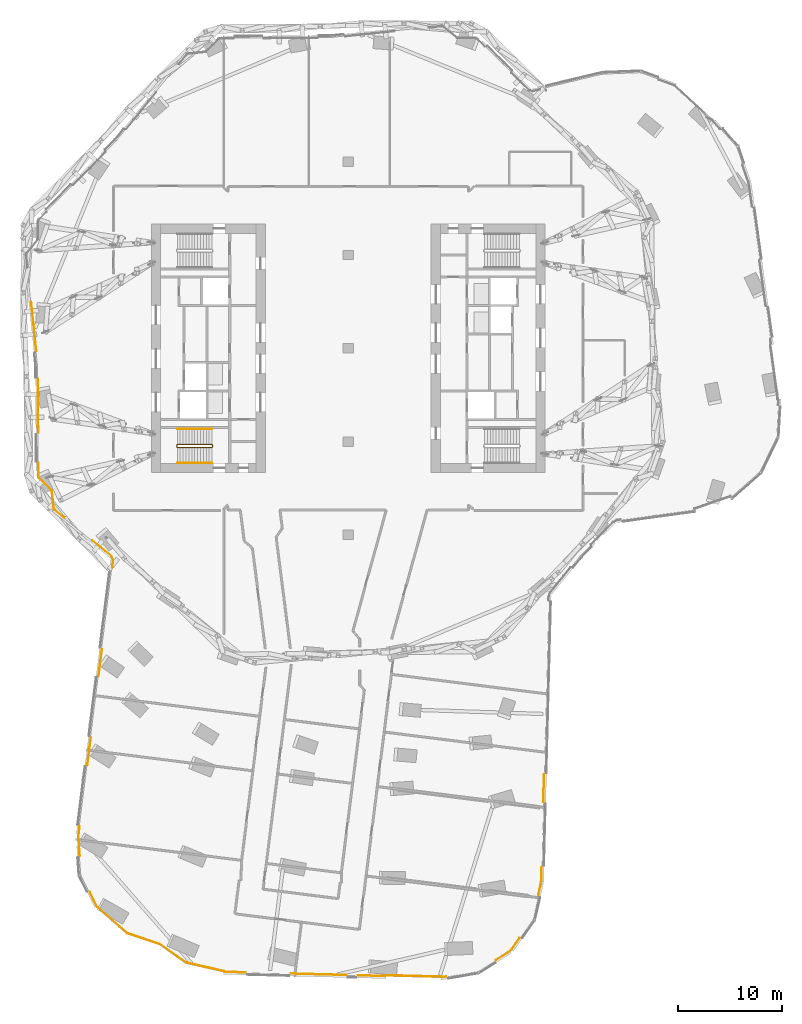
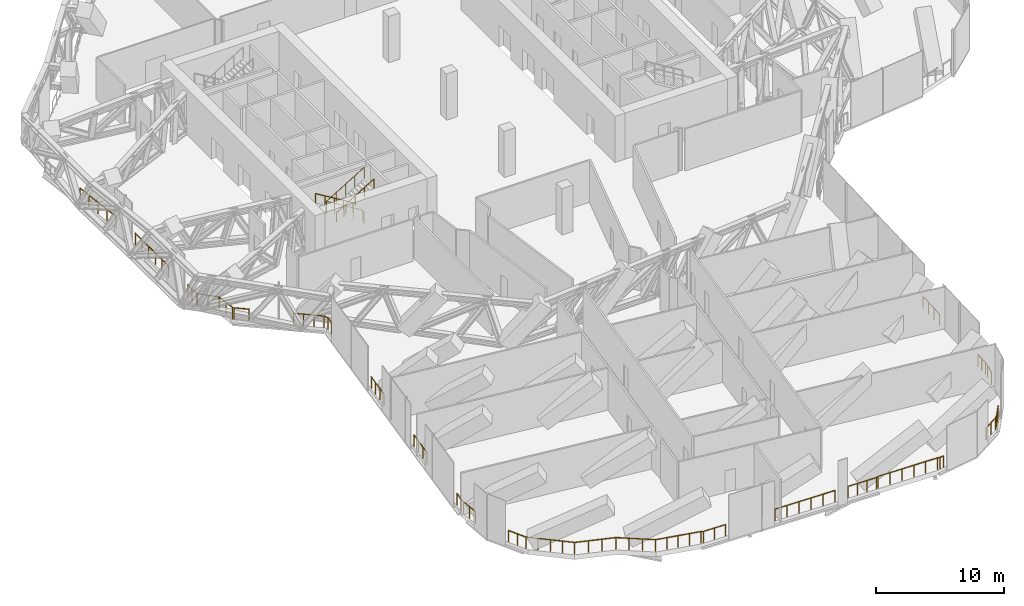
# One storey, part 24 of 27: 18 railings.
"""IFC4 building model written with IfcOpenShell, lengths in metres."""

from ifc_helpers import new_model, si_unit, direction, frame, origin, origin_2d, place, context, subcontext, project, spatial, circle, extrude, material, type_object, element, save


model = new_model("IFC4")

# Units and contexts
model_context = context("Model", 3, precision=1e-05, world=origin(), true_north=direction((0.0, 1.0)))
body_context = subcontext(model_context, "Body", "Model", "MODEL_VIEW")
ifc_project = project(units=[si_unit("LENGTHUNIT", "METRE"), si_unit("AREAUNIT", "SQUARE_METRE"), si_unit("VOLUMEUNIT", "CUBIC_METRE"), si_unit("PLANEANGLEUNIT", "RADIAN"), si_unit("MASSUNIT", "GRAM", prefix="KILO")], contexts=[model_context])

# Site, building, storey
site_placement = place(None, origin())
site = spatial("IfcSite", under=ifc_project, at=site_placement, CompositionType="ELEMENT")
building_placement = place(site_placement, origin())
building = spatial("IfcBuilding", under=site, at=building_placement, Name="Orlundy Tower", CompositionType="ELEMENT")
storey_placement = place(building_placement, frame((0.0, 0.0, 206.10009765625)))
storey = spatial("IfcBuildingStorey", under=building, at=storey_placement, Name="L54", CompositionType="ELEMENT", Elevation=206.10009765625)

# Railings
ifc_material_1 = material(Name="Steel balustrade", Category="steel")
railing_type_1 = type_object("IfcRailingType", Name="Stair Guard 1100", PredefinedType="GUARDRAIL", material=ifc_material_1)
railing_1_placement = place(storey_placement, frame((-13.090087890625, -9.35009765625, 0.0)))
element("IfcRailing", 1, at=railing_1_placement, inside=storey, type_object=railing_type_1, Name="L54 ST-W2 stair guard 1", PredefinedType="GUARDRAIL", context=body_context, shape_type="SweptSolid", body=[
    extrude(circle(Radius=0.02392578125, at=origin_2d()), frame((0.0, 0.0, 1.076171875), z_axis=(0.0, -1.0, 0.0), x_axis=(1.0, 0.0, 0.0)), (0.0, 0.0, 1.0), 0.14990234375),
    extrude(circle(Radius=0.02392578125, at=origin_2d()), frame((0.0, -0.14990234375, 1.076171875), z_axis=(-0.186800498525, 0.749949060256, 0.634572281755), x_axis=(-0.970351222016, -0.241699205484, 0.0)), (0.0, 0.0, 1.0), 0.2666015625),
    extrude(circle(Radius=0.02392578125, at=origin_2d()), frame((-0.0498046875, 0.050048828125, 1.2451171875), z_axis=(-0.855836976705, 0.0, 0.517245656632), x_axis=(0.0, -1.0, 0.0)), (0.0, 0.0, 1.0), 3.926025390625),
    extrude(circle(Radius=0.02392578125, at=origin_2d()), frame((-3.409912109375, 0.050048828125, 3.27587890625), z_axis=(-0.707106781187, -0.707106781187, 0.0), x_axis=(0.707106781187, -0.707106781187, 0.0)), (0.0, 0.0, 1.0), 0.07080078125),
    extrude(circle(Radius=0.02392578125, at=origin_2d()), frame((-3.4599609375, 0.0, 3.27587890625), z_axis=(0.0, -1.0, 0.0), x_axis=(1.0, 0.0, 0.0)), (0.0, 0.0, 1.0), 0.14990234375),
    extrude(circle(Radius=0.02392578125, at=origin_2d()), frame((-3.4599609375, -0.14990234375, 3.27587890625), z_axis=(0.272897288611, -0.272897288611, 0.922525956132), x_axis=(0.707106781187, 0.707106781187, 0.0)), (0.0, 0.0, 1.0), 0.183349609375),
    extrude(circle(Radius=0.02392578125, at=origin_2d()), frame((-3.409912109375, -0.199951171875, 3.4453125), z_axis=(0.855836976705, 0.0, 0.517245656632), x_axis=(0.0, 1.0, 0.0)), (0.0, 0.0, 1.0), 3.926025390625),
    extrude(circle(Radius=0.02099609375, at=origin_2d()), origin(), (0.0, 0.0, 1.0), 1.052001953125),
    extrude(circle(Radius=0.02099609375, at=origin_2d()), frame((0.0, -0.14990234375, 0.0)), (0.0, 0.0, 1.0), 1.052001953125),
    extrude(circle(Radius=0.02099609375, at=origin_2d()), frame((-0.0498046875, 0.050048828125, 0.169189453125)), (0.0, 0.0, 1.0), 1.052001953125),
    extrude(circle(Radius=0.02099609375, at=origin_2d()), frame((-0.889892578125, 0.050048828125, 0.6767578125)), (0.0, 0.0, 1.0), 1.052001953125),
    extrude(circle(Radius=0.02099609375, at=origin_2d()), frame((-1.72998046875, 0.050048828125, 1.1845703125)), (0.0, 0.0, 1.0), 1.052001953125),
    extrude(circle(Radius=0.02099609375, at=origin_2d()), frame((-2.56982421875, 0.050048828125, 1.6923828125)), (0.0, 0.0, 1.0), 1.052001953125),
    extrude(circle(Radius=0.02099609375, at=origin_2d()), frame((-3.409912109375, 0.050048828125, 2.199951171875)), (0.0, 0.0, 1.0), 1.052001953125),
    extrude(circle(Radius=0.02099609375, at=origin_2d()), frame((-3.4599609375, 0.0, 2.199951171875)), (0.0, 0.0, 1.0), 1.052001953125),
    extrude(circle(Radius=0.02099609375, at=origin_2d()), frame((-3.4599609375, -0.14990234375, 2.199951171875)), (0.0, 0.0, 1.0), 1.052001953125),
    extrude(circle(Radius=0.02099609375, at=origin_2d()), frame((-3.409912109375, -0.199951171875, 2.369140625)), (0.0, 0.0, 1.0), 1.052001953125),
    extrude(circle(Radius=0.02099609375, at=origin_2d()), frame((-2.56982421875, -0.199951171875, 2.876953125)), (0.0, 0.0, 1.0), 1.052001953125),
    extrude(circle(Radius=0.02099609375, at=origin_2d()), frame((-1.72998046875, -0.199951171875, 3.384521484375)), (0.0, 0.0, 1.0), 1.052001953125),
    extrude(circle(Radius=0.02099609375, at=origin_2d()), frame((-0.889892578125, -0.199951171875, 3.89208984375)), (0.0, 0.0, 1.0), 1.052001953125),
    extrude(circle(Radius=0.02099609375, at=origin_2d()), frame((-0.0498046875, -0.199951171875, 4.39990234375)), (0.0, 0.0, 1.0), 1.052001953125),
])
ifc_material_2 = material(Name="Steel handrail", Category="steel")
railing_type_2 = type_object("IfcRailingType", Name="Stair Handrail 900", PredefinedType="HANDRAIL", material=ifc_material_2)
railing_2_placement = place(storey_placement, frame((-13.139892578125, -7.800048828125, 0.169189453125)))
element("IfcRailing", 2, at=railing_2_placement, inside=storey, type_object=railing_type_2, Name="L54 ST-W2 stair handrail 1", PredefinedType="HANDRAIL", context=body_context, shape_type="SweptSolid", body=[
    extrude(circle(Radius=0.02392578125, at=origin_2d()), frame((0.0, 0.0, 0.8759765625), z_axis=(-0.855836976705, 0.0, 0.517245656632), x_axis=(0.0, -1.0, 0.0)), (0.0, 0.0, 1.0), 3.926025390625),
    extrude(circle(Radius=0.02099609375, at=origin_2d()), origin(), (0.0, 0.0, 1.0), 0.851806640625),
    extrude(circle(Radius=0.02099609375, at=origin_2d()), frame((-0.840087890625, 0.0, 0.5078125)), (0.0, 0.0, 1.0), 0.851806640625),
    extrude(circle(Radius=0.02099609375, at=origin_2d()), frame((-1.68017578125, 0.0, 1.015380859375)), (0.0, 0.0, 1.0), 0.851806640625),
    extrude(circle(Radius=0.02099609375, at=origin_2d()), frame((-2.52001953125, 0.0, 1.52294921875)), (0.0, 0.0, 1.0), 0.851806640625),
    extrude(circle(Radius=0.02099609375, at=origin_2d()), frame((-3.360107421875, 0.0, 2.03076171875)), (0.0, 0.0, 1.0), 0.851806640625),
])
railing_3_placement = place(storey_placement, frame((-16.5, -11.050048828125, 2.369140625)))
element("IfcRailing", 3, at=railing_3_placement, inside=storey, type_object=railing_type_2, Name="L54 ST-W2 stair handrail 2", PredefinedType="HANDRAIL", context=body_context, shape_type="SweptSolid", body=[
    extrude(circle(Radius=0.02392578125, at=origin_2d()), frame((0.0, 0.0, 0.8759765625), z_axis=(0.855836976705, 0.0, 0.517245656632), x_axis=(0.0, 1.0, 0.0)), (0.0, 0.0, 1.0), 3.926025390625),
    extrude(circle(Radius=0.02099609375, at=origin_2d()), origin(), (0.0, 0.0, 1.0), 0.851806640625),
    extrude(circle(Radius=0.02099609375, at=origin_2d()), frame((0.840087890625, 0.0, 0.5078125)), (0.0, 0.0, 1.0), 0.851806640625),
    extrude(circle(Radius=0.02099609375, at=origin_2d()), frame((1.68017578125, 0.0, 1.015380859375)), (0.0, 0.0, 1.0), 0.851806640625),
    extrude(circle(Radius=0.02099609375, at=origin_2d()), frame((2.52001953125, 0.0, 1.52294921875)), (0.0, 0.0, 1.0), 0.851806640625),
    extrude(circle(Radius=0.02099609375, at=origin_2d()), frame((3.360107421875, 0.0, 2.03076171875)), (0.0, 0.0, 1.0), 0.851806640625),
])
ifc_material_3 = material(Name="Stainless steel bronze finish", Category="steel")
railing_type_3 = type_object("IfcRailingType", Name="TG1 terrace guard", PredefinedType="GUARDRAIL", material=ifc_material_3)
railing_4_placement = place(storey_placement, frame((9.45166015625, -60.620849609375, 0.0)))
element("IfcRailing", 4, at=railing_4_placement, inside=storey, type_object=railing_type_3, Name="Guard TG-L54-E00", PredefinedType="GUARDRAIL", context=body_context, shape_type="SweptSolid", body=[
    extrude(circle(Radius=0.02490234375, at=origin_2d()), frame((0.0, 0.0, 1.09521484375), z_axis=(-0.985579501738, -0.169213018869, 0.0), x_axis=(0.169213018869, -0.985579501738, 0.0)), (0.0, 0.0, 1.0), 0.353515625),
    extrude(circle(Radius=0.02490234375, at=origin_2d()), frame((-0.348388671875, -0.059814453125, 1.09521484375), z_axis=(-0.970365349793, 0.241642479544, 0.0), x_axis=(-0.241642479544, -0.970365349793, 0.0)), (0.0, 0.0, 1.0), 0.19287109375),
    extrude(circle(Radius=0.02490234375, at=origin_2d()), frame((-0.53564453125, -0.01318359375, 1.09521484375), z_axis=(-0.999657194229, 0.026181940843, 0.0), x_axis=(-0.026181940843, -0.999657194229, 0.0)), (0.0, 0.0, 1.0), 5.249755859375),
    extrude(circle(Radius=0.02490234375, at=origin_2d()), frame((-5.78369140625, 0.124267578125, 1.09521484375), z_axis=(-0.937994498829, -0.346650140872, 0.0), x_axis=(0.346650140872, -0.937994498829, 0.0)), (0.0, 0.0, 1.0), 0.215576171875),
    extrude(circle(Radius=0.02490234375, at=origin_2d()), frame((-5.98583984375, 0.049560546875, 1.09521484375), z_axis=(-0.999656043483, 0.026225840849, 0.0), x_axis=(-0.026225840849, -0.999656043483, 0.0)), (0.0, 0.0, 1.0), 2.54150390625),
    extrude(circle(Radius=0.02001953125, at=origin_2d()), origin(), (0.0, 0.0, 1.0), 1.070068359375),
    extrude(circle(Radius=0.02001953125, at=origin_2d()), frame((-0.348388671875, -0.059814453125, 0.0)), (0.0, 0.0, 1.0), 1.070068359375),
    extrude(circle(Radius=0.02001953125, at=origin_2d()), frame((-0.53564453125, -0.01318359375, 0.0)), (0.0, 0.0, 1.0), 1.070068359375),
    extrude(circle(Radius=0.02001953125, at=origin_2d()), frame((-1.585205078125, 0.014404296875, 0.0)), (0.0, 0.0, 1.0), 1.070068359375),
    extrude(circle(Radius=0.02001953125, at=origin_2d()), frame((-2.634765625, 0.041748046875, 0.0)), (0.0, 0.0, 1.0), 1.070068359375),
    extrude(circle(Radius=0.02001953125, at=origin_2d()), frame((-3.6845703125, 0.0693359375, 0.0)), (0.0, 0.0, 1.0), 1.070068359375),
    extrude(circle(Radius=0.02001953125, at=origin_2d()), frame((-4.734130859375, 0.0966796875, 0.0)), (0.0, 0.0, 1.0), 1.070068359375),
    extrude(circle(Radius=0.02001953125, at=origin_2d()), frame((-5.78369140625, 0.124267578125, 0.0)), (0.0, 0.0, 1.0), 1.070068359375),
    extrude(circle(Radius=0.02001953125, at=origin_2d()), frame((-5.98583984375, 0.049560546875, 0.0)), (0.0, 0.0, 1.0), 1.070068359375),
    extrude(circle(Radius=0.02001953125, at=origin_2d()), frame((-6.832763671875, 0.07177734375, 0.0)), (0.0, 0.0, 1.0), 1.070068359375),
    extrude(circle(Radius=0.02001953125, at=origin_2d()), frame((-7.679443359375, 0.093994140625, 0.0)), (0.0, 0.0, 1.0), 1.070068359375),
    extrude(circle(Radius=0.02001953125, at=origin_2d()), frame((-8.5263671875, 0.1162109375, 0.0)), (0.0, 0.0, 1.0), 1.070068359375),
])
railing_5_placement = place(storey_placement, frame((-15.645263671875, -59.274169921875, 0.0)))
element("IfcRailing", 5, at=railing_5_placement, inside=storey, type_object=railing_type_3, Name="Guard TG-L54-E02", PredefinedType="GUARDRAIL", context=body_context, shape_type="SweptSolid", body=[
    extrude(circle(Radius=0.02490234375, at=origin_2d()), frame((0.0, 0.0, 1.09521484375), z_axis=(-0.817636842774, 0.575734307939, 0.0), x_axis=(-0.575734307939, -0.817636842774, 0.0)), (0.0, 0.0, 1.0), 3.112548828125),
    extrude(circle(Radius=0.02490234375, at=origin_2d()), frame((-2.544921875, 1.7919921875, 1.09521484375), z_axis=(-0.948802511148, 0.315869901763, 0.0), x_axis=(-0.315869901763, -0.948802511148, 0.0)), (0.0, 0.0, 1.0), 3.27490234375),
    extrude(circle(Radius=0.02001953125, at=origin_2d()), origin(), (0.0, 0.0, 1.0), 1.070068359375),
    extrude(circle(Radius=0.02001953125, at=origin_2d()), frame((-0.848388671875, 0.597412109375, 0.0)), (0.0, 0.0, 1.0), 1.070068359375),
    extrude(circle(Radius=0.02001953125, at=origin_2d()), frame((-1.696533203125, 1.194580078125, 0.0)), (0.0, 0.0, 1.0), 1.070068359375),
    extrude(circle(Radius=0.02001953125, at=origin_2d()), frame((-2.544921875, 1.7919921875, 0.0)), (0.0, 0.0, 1.0), 1.070068359375),
    extrude(circle(Radius=0.02001953125, at=origin_2d()), frame((-3.58056640625, 2.13671875, 0.0)), (0.0, 0.0, 1.0), 1.070068359375),
    extrude(circle(Radius=0.02001953125, at=origin_2d()), frame((-4.616455078125, 2.481689453125, 0.0)), (0.0, 0.0, 1.0), 1.070068359375),
    extrude(circle(Radius=0.02001953125, at=origin_2d()), frame((-5.652099609375, 2.826416015625, 0.0)), (0.0, 0.0, 1.0), 1.070068359375),
])
railing_6_placement = place(storey_placement, frame((-27.427978515625, -16.34033203125, 0.0)))
element("IfcRailing", 6, at=railing_6_placement, inside=storey, type_object=railing_type_3, Name="Guard TG-L54-E03", PredefinedType="GUARDRAIL", context=body_context, shape_type="SweptSolid", body=[
    extrude(circle(Radius=0.02490234375, at=origin_2d()), frame((0.0, 0.0, 1.09521484375), z_axis=(-0.777306744843, 0.629121788227, 0.0), x_axis=(-0.629121788227, -0.777306744843, 0.0)), (0.0, 0.0, 1.0), 1.194580078125),
    extrude(circle(Radius=0.02490234375, at=origin_2d()), frame((-0.928466796875, 0.75146484375, 1.09521484375), z_axis=(-0.495501015879, 0.868607358513, 0.0), x_axis=(-0.868607358513, -0.495501015879, 0.0)), (0.0, 0.0, 1.0), 0.123779296875),
    extrude(circle(Radius=0.02490234375, at=origin_2d()), frame((-0.98974609375, 0.85888671875, 1.09521484375), z_axis=(-0.104438683057, 0.994531327551, 0.0), x_axis=(-0.994531327551, -0.104438683057, 0.0)), (0.0, 0.0, 1.0), 1.7041015625),
    extrude(circle(Radius=0.02490234375, at=origin_2d()), frame((-1.167724609375, 2.5537109375, 1.09521484375), z_axis=(-0.431455497304, 0.902134221636, 0.0), x_axis=(-0.902134221636, -0.431455497304, 0.0)), (0.0, 0.0, 1.0), 0.080810546875),
    extrude(circle(Radius=0.02490234375, at=origin_2d()), frame((-1.20263671875, 2.626708984375, 1.09521484375), z_axis=(-0.711178105956, 0.703011878712, 0.0), x_axis=(-0.703011878712, -0.711178105956, 0.0)), (0.0, 0.0, 1.0), 1.7041015625),
    extrude(circle(Radius=0.02490234375, at=origin_2d()), frame((-2.41455078125, 3.82470703125, 1.09521484375), z_axis=(-0.369685801214, 0.92915682658, 0.0), x_axis=(-0.92915682658, -0.369685801214, 0.0)), (0.0, 0.0, 1.0), 0.12353515625),
    extrude(circle(Radius=0.02490234375, at=origin_2d()), frame((-2.460205078125, 3.939453125, 1.09521484375), z_axis=(-0.005931313644, 0.999982409605, 0.0), x_axis=(-0.999982409605, -0.005931313644, 0.0)), (0.0, 0.0, 1.0), 1.317138671875),
    extrude(circle(Radius=0.02001953125, at=origin_2d()), origin(), (0.0, 0.0, 1.0), 1.070068359375),
    extrude(circle(Radius=0.02001953125, at=origin_2d()), frame((-0.928466796875, 0.75146484375, 0.0)), (0.0, 0.0, 1.0), 1.070068359375),
    extrude(circle(Radius=0.02001953125, at=origin_2d()), frame((-0.98974609375, 0.85888671875, 0.0)), (0.0, 0.0, 1.0), 1.070068359375),
    extrude(circle(Radius=0.02001953125, at=origin_2d()), frame((-1.07861328125, 1.706298828125, 0.0)), (0.0, 0.0, 1.0), 1.070068359375),
    extrude(circle(Radius=0.02001953125, at=origin_2d()), frame((-1.167724609375, 2.5537109375, 0.0)), (0.0, 0.0, 1.0), 1.070068359375),
    extrude(circle(Radius=0.02001953125, at=origin_2d()), frame((-1.20263671875, 2.626708984375, 0.0)), (0.0, 0.0, 1.0), 1.070068359375),
    extrude(circle(Radius=0.02001953125, at=origin_2d()), frame((-1.80859375, 3.2255859375, 0.0)), (0.0, 0.0, 1.0), 1.070068359375),
    extrude(circle(Radius=0.02001953125, at=origin_2d()), frame((-2.41455078125, 3.82470703125, 0.0)), (0.0, 0.0, 1.0), 1.070068359375),
    extrude(circle(Radius=0.02001953125, at=origin_2d()), frame((-2.460205078125, 3.939453125, 0.0)), (0.0, 0.0, 1.0), 1.070068359375),
    extrude(circle(Radius=0.02001953125, at=origin_2d()), frame((-2.464111328125, 4.59814453125, 0.0)), (0.0, 0.0, 1.0), 1.070068359375),
    extrude(circle(Radius=0.02001953125, at=origin_2d()), frame((-2.468017578125, 5.256591796875, 0.0)), (0.0, 0.0, 1.0), 1.070068359375),
])
railing_7_placement = place(storey_placement, frame((-9.898193359375, -60.22119140625, 0.0)))
element("IfcRailing", 7, at=railing_7_placement, inside=storey, type_object=railing_type_3, Name="Guard TG-L54-E07", PredefinedType="GUARDRAIL", context=body_context, shape_type="SweptSolid", body=[
    extrude(circle(Radius=0.02490234375, at=origin_2d()), frame((0.0, 0.0, 1.09521484375), z_axis=(-0.999655537605, 0.026245116419, 0.0), x_axis=(-0.026245116419, -0.999655537605, 0.0)), (0.0, 0.0, 1.0), 1.9814453125),
    extrude(circle(Radius=0.02490234375, at=origin_2d()), frame((-1.980712890625, 0.052001953125, 1.09521484375), z_axis=(-0.904560494663, 0.426345296086, 0.0), x_axis=(-0.426345296086, -0.904560494663, 0.0)), (0.0, 0.0, 1.0), 0.19287109375),
    extrude(circle(Radius=0.02490234375, at=origin_2d()), frame((-2.1552734375, 0.13427734375, 1.09521484375), z_axis=(-0.975342116827, 0.220698335163, 0.0), x_axis=(-0.220698335163, -0.975342116827, 0.0)), (0.0, 0.0, 1.0), 3.6826171875),
    extrude(circle(Radius=0.02001953125, at=origin_2d()), origin(), (0.0, 0.0, 1.0), 1.070068359375),
    extrude(circle(Radius=0.02001953125, at=origin_2d()), frame((-0.990234375, 0.02587890625, 0.0)), (0.0, 0.0, 1.0), 1.070068359375),
    extrude(circle(Radius=0.02001953125, at=origin_2d()), frame((-1.980712890625, 0.052001953125, 0.0)), (0.0, 0.0, 1.0), 1.070068359375),
    extrude(circle(Radius=0.02001953125, at=origin_2d()), frame((-2.1552734375, 0.13427734375, 0.0)), (0.0, 0.0, 1.0), 1.070068359375),
    extrude(circle(Radius=0.02001953125, at=origin_2d()), frame((-3.05322265625, 0.33740234375, 0.0)), (0.0, 0.0, 1.0), 1.070068359375),
    extrude(circle(Radius=0.02001953125, at=origin_2d()), frame((-3.951171875, 0.54052734375, 0.0)), (0.0, 0.0, 1.0), 1.070068359375),
    extrude(circle(Radius=0.02001953125, at=origin_2d()), frame((-4.84912109375, 0.743896484375, 0.0)), (0.0, 0.0, 1.0), 1.070068359375),
    extrude(circle(Radius=0.02001953125, at=origin_2d()), frame((-5.7470703125, 0.947021484375, 0.0)), (0.0, 0.0, 1.0), 1.070068359375),
])
railing_8_placement = place(storey_placement, frame((-21.29736328125, -56.44775390625, 0.0)))
element("IfcRailing", 8, at=railing_8_placement, inside=storey, type_object=railing_type_3, Name="Guard TG-L54-E08", PredefinedType="GUARDRAIL", context=body_context, shape_type="SweptSolid", body=[
    extrude(circle(Radius=0.02490234375, at=origin_2d()), frame((0.0, 0.0, 1.09521484375), z_axis=(-0.756746060475, 0.653708956612, 0.0), x_axis=(-0.653708956612, -0.756746060475, 0.0)), (0.0, 0.0, 1.0), 3.852783203125),
    extrude(circle(Radius=0.02490234375, at=origin_2d()), frame((-2.91552734375, 2.5185546875, 1.09521484375), z_axis=(-0.447633436881, 0.89421714711, 0.0), x_axis=(-0.89421714711, -0.447633436881, 0.0)), (0.0, 0.0, 1.0), 1.6279296875),
    extrude(circle(Radius=0.02001953125, at=origin_2d()), origin(), (0.0, 0.0, 1.0), 1.070068359375),
    extrude(circle(Radius=0.02001953125, at=origin_2d()), frame((-0.72900390625, 0.629638671875, 0.0)), (0.0, 0.0, 1.0), 1.070068359375),
    extrude(circle(Radius=0.02001953125, at=origin_2d()), frame((-1.457763671875, 1.25927734375, 0.0)), (0.0, 0.0, 1.0), 1.070068359375),
    extrude(circle(Radius=0.02001953125, at=origin_2d()), frame((-2.1865234375, 1.888916015625, 0.0)), (0.0, 0.0, 1.0), 1.070068359375),
    extrude(circle(Radius=0.02001953125, at=origin_2d()), frame((-2.91552734375, 2.5185546875, 0.0)), (0.0, 0.0, 1.0), 1.070068359375),
    extrude(circle(Radius=0.02001953125, at=origin_2d()), frame((-3.27978515625, 3.24658203125, 0.0)), (0.0, 0.0, 1.0), 1.070068359375),
    extrude(circle(Radius=0.02001953125, at=origin_2d()), frame((-3.644287109375, 3.974365234375, 0.0)), (0.0, 0.0, 1.0), 1.070068359375),
])
railing_9_placement = place(storey_placement, frame((-0.205078125, -60.47509765625, 0.0)))
element("IfcRailing", 9, at=railing_9_placement, inside=storey, type_object=railing_type_3, Name="Guard TG-L54-E010", PredefinedType="GUARDRAIL", context=body_context, shape_type="SweptSolid", body=[
    extrude(circle(Radius=0.02490234375, at=origin_2d()), frame((0.0, 0.0, 1.09521484375), z_axis=(-0.999656447177, 0.026210448624, 0.0), x_axis=(-0.026210448624, -0.999656447177, 0.0)), (0.0, 0.0, 1.0), 5.33740234375),
    extrude(circle(Radius=0.02001953125, at=origin_2d()), origin(), (0.0, 0.0, 1.0), 1.070068359375),
    extrude(circle(Radius=0.02001953125, at=origin_2d()), frame((-1.067138671875, 0.028076171875, 0.0)), (0.0, 0.0, 1.0), 1.070068359375),
    extrude(circle(Radius=0.02001953125, at=origin_2d()), frame((-2.13427734375, 0.055908203125, 0.0)), (0.0, 0.0, 1.0), 1.070068359375),
    extrude(circle(Radius=0.02001953125, at=origin_2d()), frame((-3.201171875, 0.083984375, 0.0)), (0.0, 0.0, 1.0), 1.070068359375),
    extrude(circle(Radius=0.02001953125, at=origin_2d()), frame((-4.268310546875, 0.11181640625, 0.0)), (0.0, 0.0, 1.0), 1.070068359375),
    extrude(circle(Radius=0.02001953125, at=origin_2d()), frame((-5.33544921875, 0.139892578125, 0.0)), (0.0, 0.0, 1.0), 1.070068359375),
])
railing_10_placement = place(storey_placement, frame((-29.9130859375, -8.139404296875, 0.0)))
element("IfcRailing", 10, at=railing_10_placement, inside=storey, type_object=railing_type_3, Name="Guard TG-L54-E011", PredefinedType="GUARDRAIL", context=body_context, shape_type="SweptSolid", body=[
    extrude(circle(Radius=0.02490234375, at=origin_2d()), frame((0.0, 0.0, 1.09521484375), z_axis=(-0.005865001764, 0.999982800729, 0.0), x_axis=(-0.999982800729, -0.005865001764, 0.0)), (0.0, 0.0, 1.0), 5.16162109375),
    extrude(circle(Radius=0.02001953125, at=origin_2d()), origin(), (0.0, 0.0, 1.0), 1.070068359375),
    extrude(circle(Radius=0.02001953125, at=origin_2d()), frame((-0.006103515625, 1.0322265625, 0.0)), (0.0, 0.0, 1.0), 1.070068359375),
    extrude(circle(Radius=0.02001953125, at=origin_2d()), frame((-0.01220703125, 2.064697265625, 0.0)), (0.0, 0.0, 1.0), 1.070068359375),
    extrude(circle(Radius=0.02001953125, at=origin_2d()), frame((-0.01806640625, 3.096923828125, 0.0)), (0.0, 0.0, 1.0), 1.070068359375),
    extrude(circle(Radius=0.02001953125, at=origin_2d()), frame((-0.024169921875, 4.12939453125, 0.0)), (0.0, 0.0, 1.0), 1.070068359375),
    extrude(circle(Radius=0.02001953125, at=origin_2d()), frame((-0.0302734375, 5.16162109375, 0.0)), (0.0, 0.0, 1.0), 1.070068359375),
])
railing_11_placement = place(storey_placement, frame((-30.09814453125, -0.260986328125, 0.0)))
element("IfcRailing", 11, at=railing_11_placement, inside=storey, type_object=railing_type_3, Name="Guard TG-L54-E013", PredefinedType="GUARDRAIL", context=body_context, shape_type="SweptSolid", body=[
    extrude(circle(Radius=0.02490234375, at=origin_2d()), frame((0.0, 0.0, 1.09521484375), z_axis=(-0.104529776365, 0.994521757355, 0.0), x_axis=(-0.994521757355, -0.104529776365, 0.0)), (0.0, 0.0, 1.0), 4.75537109375),
    extrude(circle(Radius=0.02001953125, at=origin_2d()), origin(), (0.0, 0.0, 1.0), 1.070068359375),
    extrude(circle(Radius=0.02001953125, at=origin_2d()), frame((-0.124267578125, 1.182373046875, 0.0)), (0.0, 0.0, 1.0), 1.070068359375),
    extrude(circle(Radius=0.02001953125, at=origin_2d()), frame((-0.24853515625, 2.36474609375, 0.0)), (0.0, 0.0, 1.0), 1.070068359375),
    extrude(circle(Radius=0.02001953125, at=origin_2d()), frame((-0.372802734375, 3.546875, 0.0)), (0.0, 0.0, 1.0), 1.070068359375),
    extrude(circle(Radius=0.02001953125, at=origin_2d()), frame((-0.4970703125, 4.729248046875, 0.0)), (0.0, 0.0, 1.0), 1.070068359375),
])
railing_12_placement = place(storey_placement, frame((-22.77587890625, -21.144775390625, 0.0)))
element("IfcRailing", 12, at=railing_12_placement, inside=storey, type_object=railing_type_3, Name="Guard TG-L54-E022", PredefinedType="GUARDRAIL", context=body_context, shape_type="SweptSolid", body=[
    extrude(circle(Radius=0.02490234375, at=origin_2d()), frame((0.0, 0.0, 1.09521484375), z_axis=(0.124571953947, 0.992210576586, 0.0), x_axis=(-0.992210576586, 0.124571953947, 0.0)), (0.0, 0.0, 1.0), 0.72705078125),
    extrude(circle(Radius=0.02490234375, at=origin_2d()), frame((0.090576171875, 0.721435546875, 1.09521484375), z_axis=(-0.373340433764, 0.927694411171, 0.0), x_axis=(-0.927694411171, -0.373340433764, 0.0)), (0.0, 0.0, 1.0), 0.388427734375),
    extrude(circle(Radius=0.02490234375, at=origin_2d()), frame((-0.054443359375, 1.081787109375, 1.09521484375), z_axis=(-0.777186005422, 0.629270937654, 0.0), x_axis=(-0.629270937654, -0.777186005422, 0.0)), (0.0, 0.0, 1.0), 2.414794921875),
    extrude(circle(Radius=0.02001953125, at=origin_2d()), origin(), (0.0, 0.0, 1.0), 1.070068359375),
    extrude(circle(Radius=0.02001953125, at=origin_2d()), frame((0.090576171875, 0.721435546875, 0.0)), (0.0, 0.0, 1.0), 1.070068359375),
    extrude(circle(Radius=0.02001953125, at=origin_2d()), frame((-0.054443359375, 1.081787109375, 0.0)), (0.0, 0.0, 1.0), 1.070068359375),
    extrude(circle(Radius=0.02001953125, at=origin_2d()), frame((-0.679931640625, 1.58837890625, 0.0)), (0.0, 0.0, 1.0), 1.070068359375),
    extrude(circle(Radius=0.02001953125, at=origin_2d()), frame((-1.3056640625, 2.0947265625, 0.0)), (0.0, 0.0, 1.0), 1.070068359375),
    extrude(circle(Radius=0.02001953125, at=origin_2d()), frame((-1.93115234375, 2.601318359375, 0.0)), (0.0, 0.0, 1.0), 1.070068359375),
])
railing_13_placement = place(storey_placement, frame((16.531982421875, -56.902587890625, 0.0)))
element("IfcRailing", 13, at=railing_13_placement, inside=storey, type_object=railing_type_3, Name="Guard TG-L54-E024", PredefinedType="GUARDRAIL", context=body_context, shape_type="SweptSolid", body=[
    extrude(circle(Radius=0.02490234375, at=origin_2d()), frame((0.0, 0.0, 1.09521484375), z_axis=(-0.577045331012, -0.816712119389, 0.0), x_axis=(0.816712119389, -0.577045331012, 0.0)), (0.0, 0.0, 1.0), 1.296875),
    extrude(circle(Radius=0.02490234375, at=origin_2d()), frame((-0.748291015625, -1.05908203125, 1.09521484375), z_axis=(-0.725339204744, -0.688391631312, 0.0), x_axis=(0.688391631312, -0.725339204744, 0.0)), (0.0, 0.0, 1.0), 0.376708984375),
    extrude(circle(Radius=0.02490234375, at=origin_2d()), frame((-1.021484375, -1.318359375, 1.09521484375), z_axis=(-0.845745378155, -0.53358668961, 0.0), x_axis=(0.53358668961, -0.845745378155, 0.0)), (0.0, 0.0, 1.0), 1.514892578125),
    extrude(circle(Radius=0.02001953125, at=origin_2d()), origin(), (0.0, 0.0, 1.0), 1.070068359375),
    extrude(circle(Radius=0.02001953125, at=origin_2d()), frame((-0.3740234375, -0.529541015625, 0.0)), (0.0, 0.0, 1.0), 1.070068359375),
    extrude(circle(Radius=0.02001953125, at=origin_2d()), frame((-0.748291015625, -1.05908203125, 0.0)), (0.0, 0.0, 1.0), 1.070068359375),
    extrude(circle(Radius=0.02001953125, at=origin_2d()), frame((-1.021484375, -1.318359375, 0.0)), (0.0, 0.0, 1.0), 1.070068359375),
    extrude(circle(Radius=0.02001953125, at=origin_2d()), frame((-1.662109375, -1.72265625, 0.0)), (0.0, 0.0, 1.0), 1.070068359375),
    extrude(circle(Radius=0.02001953125, at=origin_2d()), frame((-2.302734375, -2.126708984375, 0.0)), (0.0, 0.0, 1.0), 1.070068359375),
])
railing_14_placement = place(storey_placement, frame((-25.909912109375, -48.964599609375, 0.0)))
element("IfcRailing", 14, at=railing_14_placement, inside=storey, type_object=railing_type_3, Name="Guard TG-L54-E025", PredefinedType="GUARDRAIL", context=body_context, shape_type="SweptSolid", body=[
    extrude(circle(Radius=0.02490234375, at=origin_2d()), frame((0.0, 0.0, 1.09521484375), z_axis=(-0.071111031756, 0.997468406097, 0.0), x_axis=(-0.997468406097, -0.071111031756, 0.0)), (0.0, 0.0, 1.0), 1.658203125),
    extrude(circle(Radius=0.02490234375, at=origin_2d()), frame((-0.117919921875, 1.654052734375, 1.09521484375), z_axis=(0.026915730346, 0.999637706102, 0.0), x_axis=(-0.999637706102, 0.026915730346, 0.0)), (0.0, 0.0, 1.0), 0.39013671875),
    extrude(circle(Radius=0.02490234375, at=origin_2d()), frame((-0.107421875, 2.0439453125, 1.09521484375), z_axis=(0.124861307694, 0.99217420539, 0.0), x_axis=(-0.99217420539, 0.124861307694, 0.0)), (0.0, 0.0, 1.0), 0.7998046875),
    extrude(circle(Radius=0.02001953125, at=origin_2d()), origin(), (0.0, 0.0, 1.0), 1.070068359375),
    extrude(circle(Radius=0.02001953125, at=origin_2d()), frame((-0.05908203125, 0.8271484375, 0.0)), (0.0, 0.0, 1.0), 1.070068359375),
    extrude(circle(Radius=0.02001953125, at=origin_2d()), frame((-0.117919921875, 1.654052734375, 0.0)), (0.0, 0.0, 1.0), 1.070068359375),
    extrude(circle(Radius=0.02001953125, at=origin_2d()), frame((-0.107421875, 2.0439453125, 0.0)), (0.0, 0.0, 1.0), 1.070068359375),
    extrude(circle(Radius=0.02001953125, at=origin_2d()), frame((-0.007568359375, 2.83740234375, 0.0)), (0.0, 0.0, 1.0), 1.070068359375),
])
railing_15_placement = place(storey_placement, frame((18.655517578125, -50.076416015625, 0.0)))
element("IfcRailing", 15, at=railing_15_placement, inside=storey, type_object=railing_type_3, Name="Guard TG-L54-E026", PredefinedType="GUARDRAIL", context=body_context, shape_type="SweptSolid", body=[
    extrude(circle(Radius=0.02490234375, at=origin_2d()), frame((0.0, 0.0, 1.09521484375), z_axis=(-0.026223093651, -0.999656115551, 0.0), x_axis=(0.999656115551, -0.026223093651, 0.0)), (0.0, 0.0, 1.0), 1.22900390625),
    extrude(circle(Radius=0.02490234375, at=origin_2d()), frame((-0.0322265625, -1.228515625, 1.09521484375), z_axis=(-0.124496711261, -0.992220020401, 0.0), x_axis=(0.992220020401, -0.124496711261, 0.0)), (0.0, 0.0, 1.0), 0.39013671875),
    extrude(circle(Radius=0.02490234375, at=origin_2d()), frame((-0.080810546875, -1.61572265625, 1.09521484375), z_axis=(-0.220471695983, -0.975393372579, 0.0), x_axis=(0.975393372579, -0.220471695983, 0.0)), (0.0, 0.0, 1.0), 1.101806640625),
    extrude(circle(Radius=0.02001953125, at=origin_2d()), origin(), (0.0, 0.0, 1.0), 1.070068359375),
    extrude(circle(Radius=0.02001953125, at=origin_2d()), frame((-0.01611328125, -0.6142578125, 0.0)), (0.0, 0.0, 1.0), 1.070068359375),
    extrude(circle(Radius=0.02001953125, at=origin_2d()), frame((-0.0322265625, -1.228515625, 0.0)), (0.0, 0.0, 1.0), 1.070068359375),
    extrude(circle(Radius=0.02001953125, at=origin_2d()), frame((-0.080810546875, -1.61572265625, 0.0)), (0.0, 0.0, 1.0), 1.070068359375),
    extrude(circle(Radius=0.02001953125, at=origin_2d()), frame((-0.32373046875, -2.6904296875, 0.0)), (0.0, 0.0, 1.0), 1.070068359375),
])
railing_16_placement = place(storey_placement, frame((18.889404296875, -41.1328125, 0.0)))
element("IfcRailing", 16, at=railing_16_placement, inside=storey, type_object=railing_type_3, Name="Guard TG-L54-E027", PredefinedType="GUARDRAIL", context=body_context, shape_type="SweptSolid", body=[
    extrude(circle(Radius=0.02490234375, at=origin_2d()), frame((0.0, 0.0, 1.09521484375), z_axis=(-0.026076483182, -0.999659950696, 0.0), x_axis=(0.999659950696, -0.026076483182, 0.0)), (0.0, 0.0, 1.0), 2.649658203125),
    extrude(circle(Radius=0.02001953125, at=origin_2d()), origin(), (0.0, 0.0, 1.0), 1.070068359375),
    extrude(circle(Radius=0.02001953125, at=origin_2d()), frame((-0.02294921875, -0.8828125, 0.0)), (0.0, 0.0, 1.0), 1.070068359375),
    extrude(circle(Radius=0.02001953125, at=origin_2d()), frame((-0.046142578125, -1.765869140625, 0.0)), (0.0, 0.0, 1.0), 1.070068359375),
    extrude(circle(Radius=0.02001953125, at=origin_2d()), frame((-0.069091796875, -2.648681640625, 0.0)), (0.0, 0.0, 1.0), 1.070068359375),
])
railing_17_placement = place(storey_placement, frame((-25.17138671875, -40.1943359375, 0.0)))
element("IfcRailing", 17, at=railing_17_placement, inside=storey, type_object=railing_type_3, Name="Guard TG-L54-E028", PredefinedType="GUARDRAIL", context=body_context, shape_type="SweptSolid", body=[
    extrude(circle(Radius=0.02490234375, at=origin_2d()), frame((0.0, 0.0, 1.09521484375), z_axis=(0.124765382987, 0.992186272435, 0.0), x_axis=(-0.992186272435, 0.124765382987, 0.0)), (0.0, 0.0, 1.0), 2.6318359375),
    extrude(circle(Radius=0.02001953125, at=origin_2d()), origin(), (0.0, 0.0, 1.0), 1.070068359375),
    extrude(circle(Radius=0.02001953125, at=origin_2d()), frame((0.109375, 0.870361328125, 0.0)), (0.0, 0.0, 1.0), 1.070068359375),
    extrude(circle(Radius=0.02001953125, at=origin_2d()), frame((0.218994140625, 1.740966796875, 0.0)), (0.0, 0.0, 1.0), 1.070068359375),
    extrude(circle(Radius=0.02001953125, at=origin_2d()), frame((0.328369140625, 2.611328125, 0.0)), (0.0, 0.0, 1.0), 1.070068359375),
])
railing_18_placement = place(storey_placement, frame((-24.090576171875, -31.597900390625, 0.0)))
element("IfcRailing", 18, at=railing_18_placement, inside=storey, type_object=railing_type_3, Name="Guard TG-L54-E029", PredefinedType="GUARDRAIL", context=body_context, shape_type="SweptSolid", body=[
    extrude(circle(Radius=0.02490234375, at=origin_2d()), frame((0.0, 0.0, 1.09521484375), z_axis=(0.124830379596, 0.992178097082, 0.0), x_axis=(-0.992178097082, 0.124830379596, 0.0)), (0.0, 0.0, 1.0), 2.56787109375),
    extrude(circle(Radius=0.02001953125, at=origin_2d()), origin(), (0.0, 0.0, 1.0), 1.070068359375),
    extrude(circle(Radius=0.02001953125, at=origin_2d()), frame((0.10693359375, 0.849365234375, 0.0)), (0.0, 0.0, 1.0), 1.070068359375),
    extrude(circle(Radius=0.02001953125, at=origin_2d()), frame((0.213623046875, 1.698486328125, 0.0)), (0.0, 0.0, 1.0), 1.070068359375),
    extrude(circle(Radius=0.02001953125, at=origin_2d()), frame((0.320556640625, 2.5478515625, 0.0)), (0.0, 0.0, 1.0), 1.070068359375),
])

save(model, "model.ifc")
